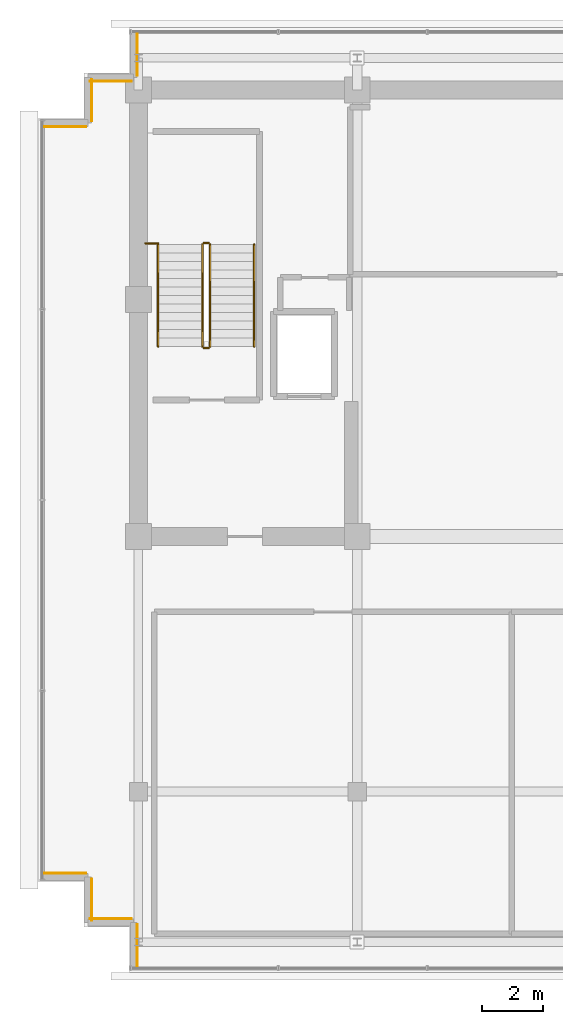
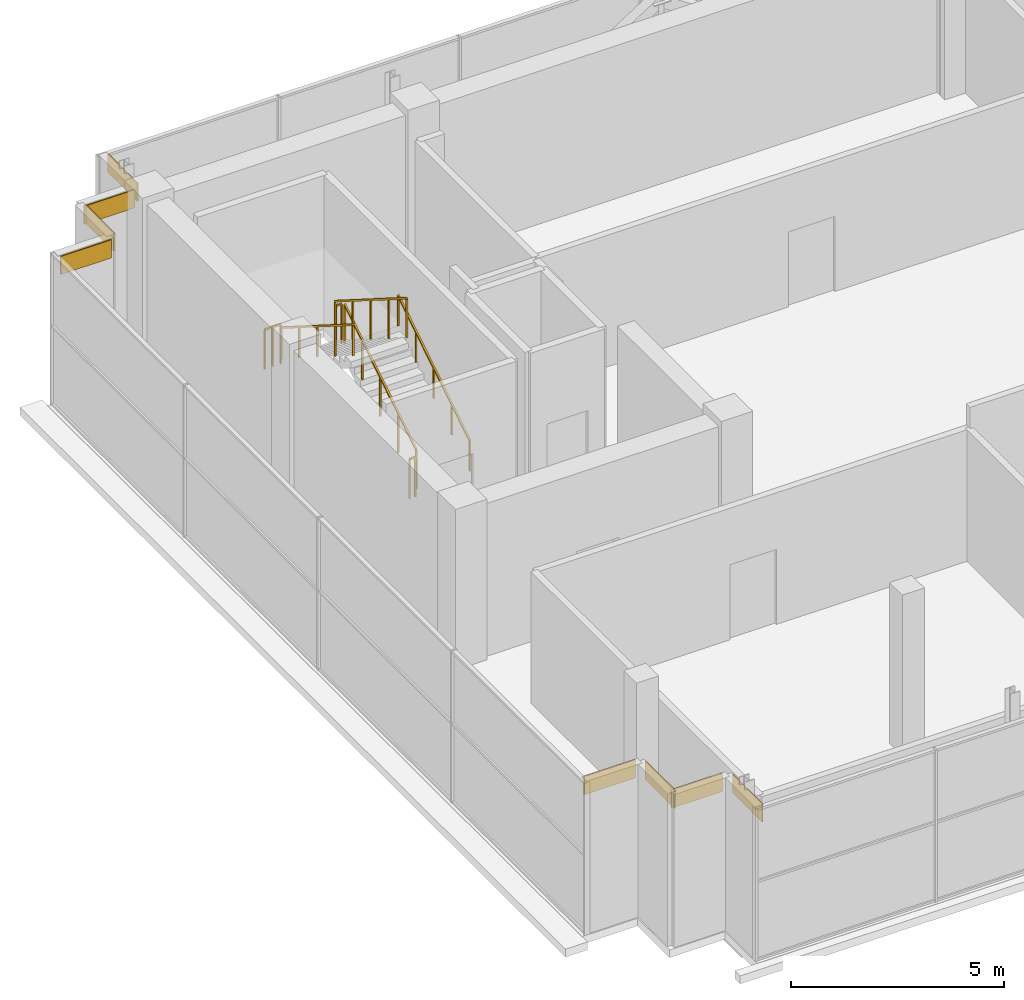
# One storey, part 26 of 27: 8 coverings, 7 railings.
"""IFC4 building model written with IfcOpenShell, lengths in metres."""

from ifc_helpers import new_model, si_unit, direction, frame, origin, origin_2d, place, context, subcontext, project, spatial, rectangle, extrude, source, transform, mapped, material, layer, layer_set, type_object, element, save


model = new_model("IFC4")

# Units and contexts
model_context = context("Model", 3, precision=1e-05, world=origin(), true_north=direction((0.0, 1.0)))
body_context = subcontext(model_context, "Body", "Model", "MODEL_VIEW")
ifc_project = project(units=[si_unit("LENGTHUNIT", "METRE"), si_unit("AREAUNIT", "SQUARE_METRE"), si_unit("VOLUMEUNIT", "CUBIC_METRE"), si_unit("PLANEANGLEUNIT", "RADIAN"), si_unit("MASSUNIT", "GRAM", prefix="KILO")], contexts=[model_context])

# Site, building, storey
site_placement = place(None, origin())
site = spatial("IfcSite", under=ifc_project, at=site_placement, CompositionType="ELEMENT")
building_placement = place(site_placement, origin())
building = spatial("IfcBuilding", under=site, at=building_placement, Name="Zarnakvel Exchange Tower", CompositionType="ELEMENT")
storey_placement = place(building_placement, frame((0.0, 0.0, 294.60009765625)))
storey = spatial("IfcBuildingStorey", under=building, at=storey_placement, Name="Crown L82", CompositionType="ELEMENT", Elevation=294.60009765625)

# Railings
ifc_material_1 = material(Name="Brushed Stainless Steel", Category="steel")
railing_type_1 = type_object("IfcRailingType", Name="HR-01", PredefinedType="HANDRAIL", material=ifc_material_1)
railing_1_placement = place(storey_placement, frame((-10.590087890625, 5.050048828125, 0.1767578125)))
element("IfcRailing", 1, at=railing_1_placement, inside=storey, type_object=railing_type_1, Name="Crown L82 ST-01 stair handrail 1", PredefinedType="HANDRAIL", context=body_context, shape_type="SweptSolid", body=[
    extrude(rectangle(XDim=0.048095703125, YDim=0.048095703125, at=origin_2d()), frame((0.0, 0.0, 0.8759765625), z_axis=(0.0, 0.845372108799, 0.534177870812), x_axis=(-1.0, 0.0, 0.0)), (0.0, 0.0, 1.0), 3.974365234375),
    extrude(rectangle(XDim=0.0419921875, YDim=0.0419921875, at=origin_2d()), origin(), (0.0, 0.0, 1.0), 0.851806640625),
    extrude(rectangle(XDim=0.0419921875, YDim=0.0419921875, at=origin_2d()), frame((0.0, 0.83984375, 0.53076171875)), (0.0, 0.0, 1.0), 0.851806640625),
    extrude(rectangle(XDim=0.0419921875, YDim=0.0419921875, at=origin_2d()), frame((0.0, 1.679931640625, 1.0615234375)), (0.0, 0.0, 1.0), 0.851806640625),
    extrude(rectangle(XDim=0.0419921875, YDim=0.0419921875, at=origin_2d()), frame((0.0, 2.52001953125, 1.59228515625)), (0.0, 0.0, 1.0), 0.851806640625),
    extrude(rectangle(XDim=0.0419921875, YDim=0.0419921875, at=origin_2d()), frame((0.0, 3.35986328125, 2.123046875)), (0.0, 0.0, 1.0), 0.851806640625),
])
railing_2_placement = place(storey_placement, frame((-13.75, 8.409912109375, 2.476806640625)))
element("IfcRailing", 2, at=railing_2_placement, inside=storey, type_object=railing_type_1, Name="Crown L82 ST-01 stair handrail 2", PredefinedType="HANDRAIL", context=body_context, shape_type="SweptSolid", body=[
    extrude(rectangle(XDim=0.048095703125, YDim=0.048095703125, at=origin_2d()), frame((0.0, 0.0, 0.8759765625), z_axis=(0.0, -0.845372108799, 0.534177870812), x_axis=(1.0, 0.0, 0.0)), (0.0, 0.0, 1.0), 3.974365234375),
    extrude(rectangle(XDim=0.0419921875, YDim=0.0419921875, at=origin_2d()), origin(), (0.0, 0.0, 1.0), 0.851806640625),
    extrude(rectangle(XDim=0.0419921875, YDim=0.0419921875, at=origin_2d()), frame((0.0, -0.83984375, 0.53076171875)), (0.0, 0.0, 1.0), 0.851806640625),
    extrude(rectangle(XDim=0.0419921875, YDim=0.0419921875, at=origin_2d()), frame((0.0, -1.679931640625, 1.0615234375)), (0.0, 0.0, 1.0), 0.851806640625),
    extrude(rectangle(XDim=0.0419921875, YDim=0.0419921875, at=origin_2d()), frame((0.0, -2.52001953125, 1.59228515625)), (0.0, 0.0, 1.0), 0.851806640625),
    extrude(rectangle(XDim=0.0419921875, YDim=0.0419921875, at=origin_2d()), frame((0.0, -3.35986328125, 2.123046875)), (0.0, 0.0, 1.0), 0.851806640625),
])
ifc_material_2 = material(Name="Architectural Bronze Anodised Aluminium", Category="aluminium")
railing_type_2 = type_object("IfcRailingType", Name="SG-01", PredefinedType="GUARDRAIL", material=ifc_material_2)
railing_3_placement = place(storey_placement, frame((-12.0400390625, 5.050048828125, 0.1767578125)))
element("IfcRailing", 3, at=railing_3_placement, inside=storey, type_object=railing_type_2, Name="Crown L82 ST-01 stair guard 1", PredefinedType="GUARDRAIL", context=body_context, shape_type="SweptSolid", body=[
    extrude(rectangle(XDim=0.048095703125, YDim=0.048095703125, at=origin_2d()), frame((0.0, 0.0, 1.1259765625), z_axis=(0.0, 0.845372108799, 0.534177870812), x_axis=(-1.0, 0.0, 0.0)), (0.0, 0.0, 1.0), 3.974365234375),
    extrude(rectangle(XDim=0.0419921875, YDim=0.0419921875, at=origin_2d()), origin(), (0.0, 0.0, 1.0), 1.101806640625),
    extrude(rectangle(XDim=0.0419921875, YDim=0.0419921875, at=origin_2d()), frame((0.0, 0.83984375, 0.53076171875)), (0.0, 0.0, 1.0), 1.101806640625),
    extrude(rectangle(XDim=0.0419921875, YDim=0.0419921875, at=origin_2d()), frame((0.0, 1.679931640625, 1.0615234375)), (0.0, 0.0, 1.0), 1.101806640625),
    extrude(rectangle(XDim=0.0419921875, YDim=0.0419921875, at=origin_2d()), frame((0.0, 2.52001953125, 1.59228515625)), (0.0, 0.0, 1.0), 1.101806640625),
    extrude(rectangle(XDim=0.0419921875, YDim=0.0419921875, at=origin_2d()), frame((0.0, 3.35986328125, 2.123046875)), (0.0, 0.0, 1.0), 1.101806640625),
])
railing_4_placement = place(storey_placement, frame((-12.090087890625, 8.4599609375, 2.2998046875)))
element("IfcRailing", 4, at=railing_4_placement, inside=storey, type_object=railing_type_2, Name="Crown L82 ST-01 stair guard 2", PredefinedType="GUARDRAIL", context=body_context, shape_type="SweptSolid", body=[
    extrude(rectangle(XDim=0.048095703125, YDim=0.048095703125, at=origin_2d()), frame((0.0, 0.0, 1.1259765625), z_axis=(-1.0, 0.0, 0.0), x_axis=(0.0, -1.0, 0.0)), (0.0, 0.0, 1.0), 0.159912109375),
    extrude(rectangle(XDim=0.0419921875, YDim=0.0419921875, at=origin_2d()), origin(), (0.0, 0.0, 1.0), 1.101806640625),
    extrude(rectangle(XDim=0.0419921875, YDim=0.0419921875, at=origin_2d()), frame((-0.159912109375, 0.0, 0.0)), (0.0, 0.0, 1.0), 1.101806640625),
])
railing_5_placement = place(storey_placement, frame((-12.300048828125, 8.409912109375, 2.476806640625)))
element("IfcRailing", 5, at=railing_5_placement, inside=storey, type_object=railing_type_2, Name="Crown L82 ST-01 stair guard 3", PredefinedType="GUARDRAIL", context=body_context, shape_type="SweptSolid", body=[
    extrude(rectangle(XDim=0.048095703125, YDim=0.048095703125, at=origin_2d()), frame((0.0, 0.0, 1.1259765625), z_axis=(0.0, -0.845372108799, 0.534177870812), x_axis=(1.0, 0.0, 0.0)), (0.0, 0.0, 1.0), 3.974365234375),
    extrude(rectangle(XDim=0.0419921875, YDim=0.0419921875, at=origin_2d()), origin(), (0.0, 0.0, 1.0), 1.101806640625),
    extrude(rectangle(XDim=0.0419921875, YDim=0.0419921875, at=origin_2d()), frame((0.0, -0.83984375, 0.53076171875)), (0.0, 0.0, 1.0), 1.101806640625),
    extrude(rectangle(XDim=0.0419921875, YDim=0.0419921875, at=origin_2d()), frame((0.0, -1.679931640625, 1.0615234375)), (0.0, 0.0, 1.0), 1.101806640625),
    extrude(rectangle(XDim=0.0419921875, YDim=0.0419921875, at=origin_2d()), frame((0.0, -2.52001953125, 1.59228515625)), (0.0, 0.0, 1.0), 1.101806640625),
    extrude(rectangle(XDim=0.0419921875, YDim=0.0419921875, at=origin_2d()), frame((0.0, -3.35986328125, 2.123046875)), (0.0, 0.0, 1.0), 1.101806640625),
])
railing_6_placement = place(storey_placement, frame((-12.090087890625, 5.0, 0.0)))
element("IfcRailing", 6, at=railing_6_placement, inside=storey, type_object=railing_type_2, Name="Crown L82 ST-01 stair guard 4", PredefinedType="GUARDRAIL", context=body_context, shape_type="SweptSolid", body=[
    extrude(rectangle(XDim=0.048095703125, YDim=0.048095703125, at=origin_2d()), frame((0.0, 0.0, 1.1259765625), z_axis=(-1.0, 0.0, 0.0), x_axis=(0.0, -1.0, 0.0)), (0.0, 0.0, 1.0), 0.159912109375),
    extrude(rectangle(XDim=0.0419921875, YDim=0.0419921875, at=origin_2d()), origin(), (0.0, 0.0, 1.0), 1.101806640625),
    extrude(rectangle(XDim=0.0419921875, YDim=0.0419921875, at=origin_2d()), frame((-0.159912109375, 0.0, 0.0)), (0.0, 0.0, 1.0), 1.101806640625),
])
railing_7_placement = place(storey_placement, frame((-14.179931640625, 8.449951171875, 2.2998046875)))
element("IfcRailing", 7, at=railing_7_placement, inside=storey, type_object=railing_type_2, Name="Crown L82 ST-01 Landing Slot Guardrail", PredefinedType="GUARDRAIL", context=body_context, shape_type="SweptSolid", body=[
    extrude(rectangle(XDim=0.048095703125, YDim=0.048095703125, at=origin_2d()), frame((0.0, 0.0, 1.1259765625), z_axis=(1.0, 0.0, 0.0), x_axis=(0.0, 1.0, 0.0)), (0.0, 0.0, 1.0), 0.429931640625),
    extrude(rectangle(XDim=0.0419921875, YDim=0.0419921875, at=origin_2d()), origin(), (0.0, 0.0, 1.0), 1.101806640625),
    extrude(rectangle(XDim=0.0419921875, YDim=0.0419921875, at=origin_2d()), frame((0.21484375, 0.0, 0.0)), (0.0, 0.0, 1.0), 1.101806640625),
    extrude(rectangle(XDim=0.0419921875, YDim=0.0419921875, at=origin_2d()), frame((0.429931640625, 0.0, 0.0)), (0.0, 0.0, 1.0), 1.101806640625),
])

# Coverings
ifc_material_3 = material(Name="Warm Sandstone Terracotta Spandrel Tile", Category="masonry")
ifc_layer = layer(ifc_material_3, 0.031982421875)
ifc_layer_set = layer_set([ifc_layer], Name="Warm Sandstone Terracotta Spandrel Tile")
covering_type = type_object("IfcCoveringType", Name="CL-02", PredefinedType="CLADDING", material=ifc_layer_set)
shared_shape = source(origin(), body_context, "Body", "SweptSolid", [
    extrude(rectangle(XDim=1.3798828125, YDim=0.031982421875, at=origin_2d()), origin(), (0.0, 0.0, 1.0), 0.52001953125),
])
for number, where, z_axis, x_axis, name in (
    (8, (-16.81005859375, 12.285888671875, 3.83984375), (0.0, 0.0, 1.0), (-1.0, 0.0, 0.0), "Crown L82 Ceramic Spandrel Tilework CL-02"),
    (9, (-15.93603515625, 13.159912109375, 3.83984375), (0.0, 0.0, 1.0), (0.0, -1.0, 0.0), "Crown L82 Ceramic Spandrel Tilework CL-02"),
    (10, (-15.31005859375, 13.785888671875, 3.83984375), (0.0, 0.0, 1.0), (-1.0, 0.0, 0.0), "Crown L82 Ceramic Spandrel Tilework CL-02"),
    (11, (-14.43603515625, 14.659912109375, 3.83984375), (0.0, 0.0, 1.0), (0.0, -1.0, 0.0), "Crown L82 Ceramic Spandrel Tilework CL-02"),
    (12, (-14.43603515625, -14.659912109375, 3.83984375), (0.0, 0.0, 1.0), (0.0, -1.0, 0.0), "Crown L82 Ceramic Spandrel Tilework CL-02"),
    (13, (-15.31005859375, -13.785888671875, 3.83984375), (0.0, 0.0, 1.0), (1.0, 0.0, 0.0), "Crown L82 Ceramic Spandrel Tilework CL-02"),
    (14, (-15.93603515625, -13.159912109375, 3.83984375), (0.0, 0.0, 1.0), (0.0, -1.0, 0.0), "Crown L82 Ceramic Spandrel Tilework CL-02"),
    (15, (-16.81005859375, -12.285888671875, 3.83984375), (0.0, 0.0, 1.0), (1.0, 0.0, 0.0), "Crown L82 Ceramic Spandrel Tilework CL-02"),
):
    element("IfcCovering", number, at=place(storey_placement, frame(where, z_axis=z_axis, x_axis=x_axis)), inside=storey, type_object=covering_type, Name=name, PredefinedType="CLADDING", context=body_context, shape_type="MappedRepresentation", body=[
        mapped(shared_shape, transform((0.0, 0.0, 0.0), x_axis=(1.0, 0.0, 0.0), y_axis=(0.0, 1.0, 0.0), z_axis=(0.0, 0.0, 1.0), scale=1.0)),
    ])

save(model, "model.ifc")
